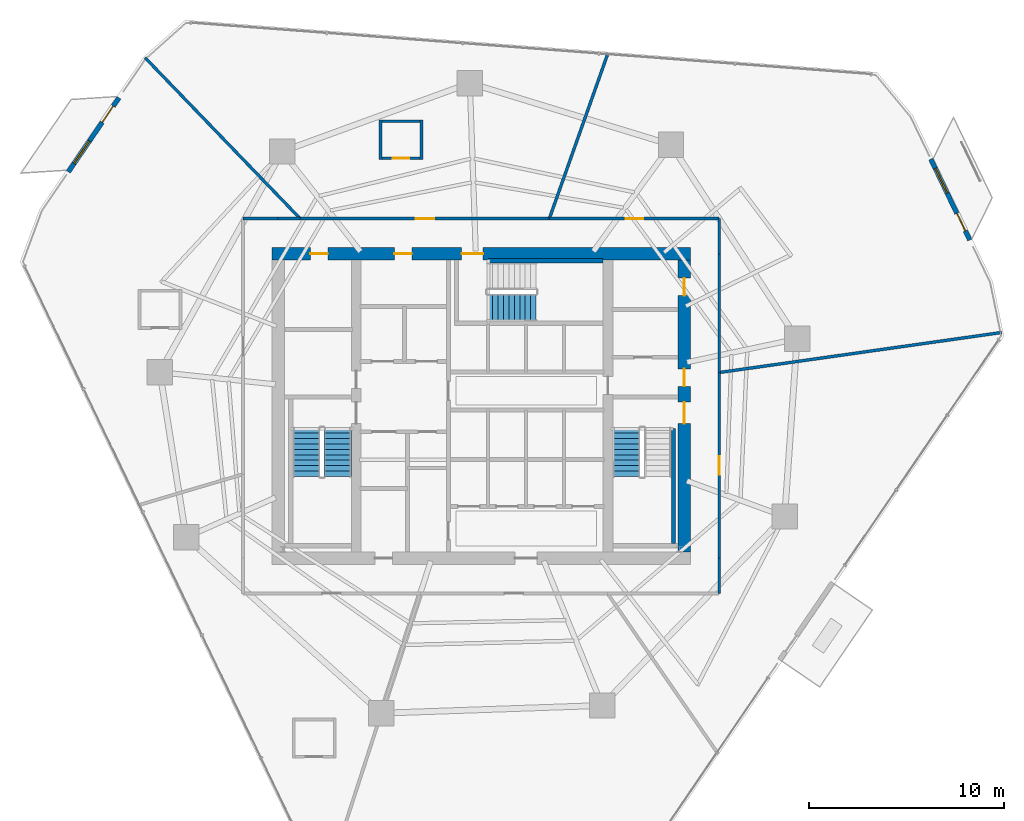
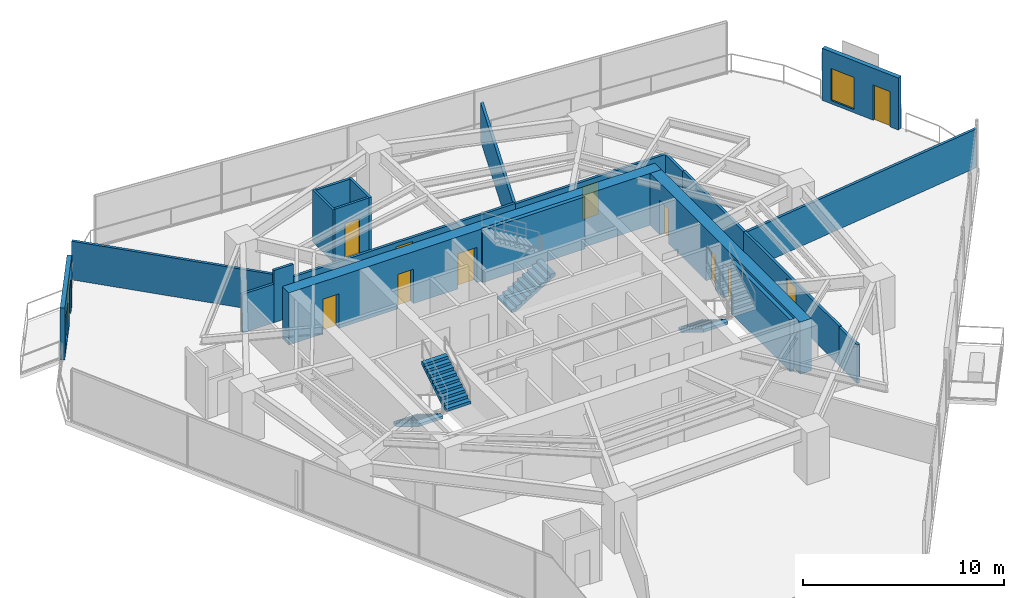
# One storey, part 27 of 30: 21 walls, 12 doors, 4 stair flights, 2 windows, 14 openings, 3 elements without a shape of their own.
"""IFC4 building model written with IfcOpenShell, lengths in metres."""

from ifc_helpers import new_model, si_unit, direction, frame, frame_2d, origin, place, context, subcontext, project, spatial, polyline, rectangle, outline, extrude, material, layer, layer_set, type_object, element, fill, aggregate, save


model = new_model("IFC4")

# Units and contexts
model_context = context("Model", 3, precision=1e-05, world=origin(), true_north=direction((0.0, 1.0)))
body_context = subcontext(model_context, "Body", "Model", "MODEL_VIEW")
ifc_project = project(units=[si_unit("LENGTHUNIT", "METRE"), si_unit("AREAUNIT", "SQUARE_METRE"), si_unit("VOLUMEUNIT", "CUBIC_METRE"), si_unit("PLANEANGLEUNIT", "RADIAN"), si_unit("MASSUNIT", "GRAM", prefix="KILO")], contexts=[model_context])

# Site, building, storey
site_placement = place(None, origin())
site = spatial("IfcSite", under=ifc_project, at=site_placement, CompositionType="ELEMENT")
building_placement = place(site_placement, origin())
building = spatial("IfcBuilding", under=site, at=building_placement, Name="Qarnah Convention Tower", CompositionType="ELEMENT")
storey_placement = place(building_placement, frame((0.0, 0.0, 51.14990234375)))
storey = spatial("IfcBuildingStorey", under=building, at=storey_placement, Name="L12", CompositionType="ELEMENT", Elevation=51.14990234375)

# Wall, openings, doors
ifc_material_1 = material(Name="Concrete C60/75", Category="concrete")
ifc_layer_1 = layer(ifc_material_1, 0.64990234375)
ifc_layer_set_1 = layer_set([ifc_layer_1], Name="Concrete C60/75")
wall_type_1 = type_object("IfcWallType", Name="WL-CORE-650", PredefinedType="SHEAR", material=ifc_layer_set_1)
wall_1_placement = place(storey_placement, frame((26.47509765625, 34.199951171875, 0.0), z_axis=(0.0, 0.0, 1.0), x_axis=(1.0, 0.0, 0.0)))
wall_1 = element("IfcWall", 1, at=wall_1_placement, inside=storey, type_object=wall_type_1, Name="L12 core north shear wall", PredefinedType="SHEAR", context=body_context, shape_type="SweptSolid", body=[
    extrude(rectangle(XDim=21.449951171875, YDim=0.64990234375, at=frame_2d((10.72509765625, 0.0))), origin(), (0.0, 0.0, 1.0), 3.170166015625),
])
opening_1_placement = place(wall_1_placement, frame((9.72509765625, 0.0, 0.0)))
opening_1 = element("IfcOpeningElement", 2, at=opening_1_placement, cuts=wall_1, Name="Opening D-1203", PredefinedType="OPENING", context=body_context, shape_type="SweptSolid", body=[
    extrude(rectangle(XDim=1.10009765625, YDim=2.14990234375, at=frame_2d((0.550048828125, 1.074951171875))), frame((0.0, 0.3349609375, 0.0), z_axis=(0.0, -1.0, 0.0), x_axis=(1.0, 0.0, 0.0)), (0.0, 0.0, 1.0), 0.669921875),
])
opening_2_placement = place(wall_1_placement, frame((1.97509765625, 0.0, 0.0)))
opening_2 = element("IfcOpeningElement", 3, at=opening_2_placement, cuts=wall_1, Name="Opening D-1209", PredefinedType="OPENING", context=body_context, shape_type="SweptSolid", body=[
    extrude(rectangle(XDim=0.89990234375, YDim=2.10009765625, at=frame_2d((0.449951171875, 1.050048828125))), frame((0.0, 0.3349609375, 0.0), z_axis=(0.0, -1.0, 0.0), x_axis=(1.0, 0.0, 0.0)), (0.0, 0.0, 1.0), 0.669921875),
])
opening_3_placement = place(wall_1_placement, frame((6.27490234375, 0.0, 0.0)))
opening_3 = element("IfcOpeningElement", 4, at=opening_3_placement, cuts=wall_1, Name="Opening D-1210", PredefinedType="OPENING", context=body_context, shape_type="SweptSolid", body=[
    extrude(rectangle(XDim=0.89990234375, YDim=2.10009765625, at=frame_2d((0.449951171875, 1.050048828125))), frame((0.0, 0.3349609375, 0.0), z_axis=(0.0, -1.0, 0.0), x_axis=(1.0, 0.0, 0.0)), (0.0, 0.0, 1.0), 0.669921875),
])
ifc_material_2 = material(Name="Structural steel S355JR", Category="steel")
door_type_1 = type_object("IfcDoorType", Name="DT-RISER-900", OperationType="NOTDEFINED", PredefinedType="DOOR", material=ifc_material_2)
door_1_placement = place(opening_2_placement, origin())
door_1 = element("IfcDoor", 5, at=door_1_placement, inside=storey, type_object=door_type_1, Name="Door D-1209", OperationType="SINGLE_SWING_LEFT", OverallHeight=2.10009765625, OverallWidth=0.89990234375, PredefinedType="DOOR", context=body_context, shape_type="SweptSolid", body=[
    extrude(rectangle(XDim=0.89990234375, YDim=2.10009765625, at=frame_2d((0.449951171875, 1.050048828125))), frame((0.0, 0.02490234375, 0.0), z_axis=(0.0, -1.0, 0.0), x_axis=(1.0, 0.0, 0.0)), (0.0, 0.0, 1.0), 0.050048828125),
])
fill(opening_2, door_1)
door_2_placement = place(opening_3_placement, origin())
door_2 = element("IfcDoor", 6, at=door_2_placement, inside=storey, type_object=door_type_1, Name="Door D-1210", OperationType="SINGLE_SWING_RIGHT", OverallHeight=2.10009765625, OverallWidth=0.89990234375, PredefinedType="DOOR", context=body_context, shape_type="SweptSolid", body=[
    extrude(rectangle(XDim=0.89990234375, YDim=2.10009765625, at=frame_2d((0.449951171875, 1.050048828125))), frame((0.0, 0.02490234375, 0.0), z_axis=(0.0, -1.0, 0.0), x_axis=(1.0, 0.0, 0.0)), (0.0, 0.0, 1.0), 0.050048828125),
])
fill(opening_3, door_2)
door_type_2 = type_object("IfcDoorType", Name="DT-STAIR-1100", OperationType="NOTDEFINED", PredefinedType="DOOR", material=ifc_material_2)
door_3_placement = place(opening_1_placement, origin())
door_3 = element("IfcDoor", 7, at=door_3_placement, inside=storey, type_object=door_type_2, Name="Door D-1203", OperationType="SINGLE_SWING_LEFT", OverallHeight=2.14990234375, OverallWidth=1.10009765625, PredefinedType="DOOR", context=body_context, shape_type="SweptSolid", body=[
    extrude(rectangle(XDim=1.10009765625, YDim=2.14990234375, at=frame_2d((0.550048828125, 1.074951171875))), frame((0.0, 0.02490234375, 0.0), z_axis=(0.0, -1.0, 0.0), x_axis=(1.0, 0.0, 0.0)), (0.0, 0.0, 1.0), 0.050048828125),
])
fill(opening_1, door_3)

wall_2_placement = place(storey_placement, frame((47.60009765625, 18.925048828125, 0.0), z_axis=(0.0, 0.0, 1.0), x_axis=(0.0, 1.0, 0.0)))
wall_2 = element("IfcWall", 8, at=wall_2_placement, inside=storey, type_object=wall_type_1, Name="L12 core east shear wall", PredefinedType="SHEAR", context=body_context, shape_type="SweptSolid", body=[
    extrude(rectangle(XDim=14.949951171875, YDim=0.64990234375, at=frame_2d((7.47509765625, 0.0))), origin(), (0.0, 0.0, 1.0), 3.170166015625),
])
opening_4_placement = place(wall_2_placement, frame((6.574951171875, 0.0, 0.0)))
opening_4 = element("IfcOpeningElement", 9, at=opening_4_placement, cuts=wall_2, Name="Opening D-1202", PredefinedType="OPENING", context=body_context, shape_type="SweptSolid", body=[
    extrude(rectangle(XDim=1.10009765625, YDim=2.14990234375, at=frame_2d((0.550048828125, 1.074951171875))), frame((0.0, 0.3349609375, 0.0), z_axis=(0.0, -1.0, 0.0), x_axis=(1.0, 0.0, 0.0)), (0.0, 0.0, 1.0), 0.669921875),
])
opening_5_placement = place(wall_2_placement, frame((8.47509765625, 0.0, 0.0)))
opening_5 = element("IfcOpeningElement", 10, at=opening_5_placement, cuts=wall_2, Name="Opening D-1206", PredefinedType="OPENING", context=body_context, shape_type="SweptSolid", body=[
    extrude(rectangle(XDim=0.89990234375, YDim=2.10009765625, at=frame_2d((0.449951171875, 1.050048828125))), frame((0.0, 0.3349609375, 0.0), z_axis=(0.0, -1.0, 0.0), x_axis=(1.0, 0.0, 0.0)), (0.0, 0.0, 1.0), 0.669921875),
])
opening_6_placement = place(wall_2_placement, frame((13.125, 0.0, 0.0)))
opening_6 = element("IfcOpeningElement", 11, at=opening_6_placement, cuts=wall_2, Name="Opening D-1212", PredefinedType="OPENING", context=body_context, shape_type="SweptSolid", body=[
    extrude(rectangle(XDim=0.89990234375, YDim=2.10009765625, at=frame_2d((0.449951171875, 1.050048828125))), frame((0.0, 0.3349609375, 0.0), z_axis=(0.0, -1.0, 0.0), x_axis=(1.0, 0.0, 0.0)), (0.0, 0.0, 1.0), 0.669921875),
])
door_4_placement = place(opening_5_placement, origin())
door_4 = element("IfcDoor", 12, at=door_4_placement, inside=storey, type_object=door_type_1, Name="Door D-1206", OperationType="SINGLE_SWING_RIGHT", OverallHeight=2.10009765625, OverallWidth=0.89990234375, PredefinedType="DOOR", context=body_context, shape_type="SweptSolid", body=[
    extrude(rectangle(XDim=0.89990234375, YDim=2.10009765625, at=frame_2d((0.449951171875, 1.050048828125))), frame((0.0, 0.02490234375, 0.0), z_axis=(0.0, -1.0, 0.0), x_axis=(1.0, 0.0, 0.0)), (0.0, 0.0, 1.0), 0.050048828125),
])
fill(opening_5, door_4)
door_5_placement = place(opening_6_placement, origin())
door_5 = element("IfcDoor", 13, at=door_5_placement, inside=storey, type_object=door_type_1, Name="Door D-1212", OperationType="SINGLE_SWING_RIGHT", OverallHeight=2.10009765625, OverallWidth=0.89990234375, PredefinedType="DOOR", context=body_context, shape_type="SweptSolid", body=[
    extrude(rectangle(XDim=0.89990234375, YDim=2.10009765625, at=frame_2d((0.449951171875, 1.050048828125))), frame((0.0, 0.02490234375, 0.0), z_axis=(0.0, -1.0, 0.0), x_axis=(1.0, 0.0, 0.0)), (0.0, 0.0, 1.0), 0.050048828125),
])
fill(opening_6, door_5)
door_6_placement = place(opening_4_placement, origin())
door_6 = element("IfcDoor", 14, at=door_6_placement, inside=storey, type_object=door_type_2, Name="Door D-1202", OperationType="SINGLE_SWING_RIGHT", OverallHeight=2.14990234375, OverallWidth=1.10009765625, PredefinedType="DOOR", context=body_context, shape_type="SweptSolid", body=[
    extrude(rectangle(XDim=1.10009765625, YDim=2.14990234375, at=frame_2d((0.550048828125, 1.074951171875))), frame((0.0, 0.02490234375, 0.0), z_axis=(0.0, -1.0, 0.0), x_axis=(1.0, 0.0, 0.0)), (0.0, 0.0, 1.0), 0.050048828125),
])
fill(opening_4, door_6)

# Walls
ifc_layer_2 = layer(ifc_material_1, 0.219970703125)
ifc_layer_set_2 = layer_set([ifc_layer_2], Name="Concrete C60/75")
wall_type_2 = type_object("IfcWallType", Name="WL-CORE-STAIR-220", PredefinedType="SHEAR", material=ifc_layer_set_2)
for number, where, z_axis, x_axis, name in (
    (15, (47.06005859375, 19.35009765625, 0.0), (0.0, 0.0, 1.0), (0.0, 1.0, 0.0), "L12 stair shaft shear wall SW-L12-ST2E"),
    (16, (37.550048828125, 33.840087890625, 0.0), (0.0, 0.0, 1.0), (1.0, 0.0, 0.0), "L12 stair shaft shear wall SW-L12-ST3N"),
):
    element("IfcWall", number, at=place(storey_placement, frame(where, z_axis=z_axis, x_axis=x_axis)), inside=storey, type_object=wall_type_2, Name=name, PredefinedType="SHEAR", context=body_context, shape_type="SweptSolid", body=[
        extrude(rectangle(XDim=5.89990234375, YDim=0.219970703125, at=frame_2d((2.949951171875, 0.0))), origin(), (0.0, 0.0, 1.0), 3.170166015625),
    ])

# Wall, openings, door, window
ifc_material_3 = material(Name="Precast concrete C45/55", Category="concrete")
ifc_layer_3 = layer(ifc_material_3, 0.239990234375)
ifc_layer_set_3 = layer_set([ifc_layer_3], Name="Precast concrete C45/55")
wall_type_3 = type_object("IfcWallType", Name="WL-EXT-BAL-240", PredefinedType="SOLIDWALL", material=ifc_layer_set_3)
wall_3_placement = place(storey_placement, frame((60.241943359375, 39.050048828125, 0.0), z_axis=(0.0, 0.0, 1.0), x_axis=(0.433276196911, -0.901261192546, 0.0)))
wall_3 = element("IfcWall", 17, at=wall_3_placement, inside=storey, type_object=wall_type_3, Name="L12 loggia threshold wall BAL-L12-C1", PredefinedType="SOLIDWALL", context=body_context, shape_type="SweptSolid", body=[
    extrude(rectangle(XDim=4.60009765625, YDim=0.239990234375, at=frame_2d((2.300048828125, 0.0))), origin(), (0.0, 0.0, 1.0), 3.170166015625),
])
opening_7_placement = place(wall_3_placement, frame((3.080078125, 0.0, 0.0)))
opening_7 = element("IfcOpeningElement", 18, at=opening_7_placement, cuts=wall_3, Name="Opening BD-1201", PredefinedType="OPENING", context=body_context, shape_type="SweptSolid", body=[
    extrude(rectangle(XDim=1.0, YDim=2.14990234375, at=frame_2d((0.5, 1.074951171875))), frame((0.0, 0.1298828125, 0.0), z_axis=(0.0, -1.0, 0.0), x_axis=(1.0, 0.0, 0.0)), (0.0, 0.0, 1.0), 0.260009765625),
])
opening_8_placement = place(wall_3_placement, frame((0.52001953125, 0.0, 0.199951171875)))
opening_8 = element("IfcOpeningElement", 19, at=opening_8_placement, cuts=wall_3, Name="Opening WN4", PredefinedType="OPENING", context=body_context, shape_type="SweptSolid", body=[
    extrude(rectangle(XDim=1.39990234375, YDim=1.949951171875, at=frame_2d((0.699951171875, 0.97509765625))), frame((0.0, 0.1298828125, 0.0), z_axis=(0.0, -1.0, 0.0), x_axis=(1.0, 0.0, 0.0)), (0.0, 0.0, 1.0), 0.260009765625),
])
ifc_material_4 = material(Name="Black anodised aluminium", Category="aluminium")
door_type_3 = type_object("IfcDoorType", Name="DT-BAL-1000", OperationType="NOTDEFINED", PredefinedType="DOOR", material=ifc_material_4)
door_7_placement = place(opening_7_placement, origin())
door_7 = element("IfcDoor", 20, at=door_7_placement, inside=storey, type_object=door_type_3, Name="L12 balcony terrace door BAL-L12-C1", OperationType="SINGLE_SWING_RIGHT", OverallHeight=2.14990234375, OverallWidth=1.0, PredefinedType="DOOR", context=body_context, shape_type="SweptSolid", body=[
    extrude(rectangle(XDim=1.0, YDim=2.14990234375, at=frame_2d((0.5, 1.074951171875))), frame((0.0, 0.02490234375, 0.0), z_axis=(0.0, -1.0, 0.0), x_axis=(1.0, 0.0, 0.0)), (0.0, 0.0, 1.0), 0.050048828125),
])
fill(opening_7, door_7)
ifc_material_5 = material(Name="Tempered Low-E dark glass", Category="glass")
window_type = type_object("IfcWindowType", Name="WT-BAL-1400X2000", PartitioningType="SINGLE_PANEL", PredefinedType="WINDOW", material=ifc_material_5)
window_1_placement = place(opening_8_placement, origin())
window_1 = element("IfcWindow", 21, at=window_1_placement, inside=storey, type_object=window_type, Name="Window BW-BAL-L12-C1", OverallHeight=1.949951171875, OverallWidth=1.39990234375, PartitioningType="SINGLE_PANEL", PredefinedType="WINDOW", context=body_context, shape_type="SweptSolid", body=[
    extrude(rectangle(XDim=1.39990234375, YDim=1.949951171875, at=frame_2d((0.699951171875, 0.97509765625))), frame((0.0, 0.030029296875, 0.0), z_axis=(0.0, -1.0, 0.0), x_axis=(1.0, 0.0, 0.0)), (0.0, 0.0, 1.0), 0.06005859375),
])
fill(opening_8, window_1)

wall_4_placement = place(storey_placement, frame((16.049072265625, 38.39306640625, 0.0), z_axis=(0.0, 0.0, 1.0), x_axis=(0.563913092541, 0.825834138348, 0.0)))
wall_4 = element("IfcWall", 22, at=wall_4_placement, inside=storey, type_object=wall_type_3, Name="L12 loggia threshold wall BAL-L12-C2", PredefinedType="SOLIDWALL", context=body_context, shape_type="SweptSolid", body=[
    extrude(rectangle(XDim=4.60009765625, YDim=0.239990234375, at=frame_2d((2.300048828125, 0.0))), origin(), (0.0, 0.0, 1.0), 3.170166015625),
])
opening_9_placement = place(wall_4_placement, frame((3.080078125, 0.0, 0.0)))
opening_9 = element("IfcOpeningElement", 23, at=opening_9_placement, cuts=wall_4, Name="Opening BD-1202", PredefinedType="OPENING", context=body_context, shape_type="SweptSolid", body=[
    extrude(rectangle(XDim=1.0, YDim=2.14990234375, at=frame_2d((0.5, 1.074951171875))), frame((0.0, 0.1298828125, 0.0), z_axis=(0.0, -1.0, 0.0), x_axis=(1.0, 0.0, 0.0)), (0.0, 0.0, 1.0), 0.260009765625),
])
opening_10_placement = place(wall_4_placement, frame((0.52001953125, 0.0, 0.199951171875)))
opening_10 = element("IfcOpeningElement", 24, at=opening_10_placement, cuts=wall_4, Name="Opening WN4", PredefinedType="OPENING", context=body_context, shape_type="SweptSolid", body=[
    extrude(rectangle(XDim=1.39990234375, YDim=1.949951171875, at=frame_2d((0.699951171875, 0.97509765625))), frame((0.0, 0.1298828125, 0.0), z_axis=(0.0, -1.0, 0.0), x_axis=(1.0, 0.0, 0.0)), (0.0, 0.0, 1.0), 0.260009765625),
])
door_8_placement = place(opening_9_placement, origin())
door_8 = element("IfcDoor", 25, at=door_8_placement, inside=storey, type_object=door_type_3, Name="L12 balcony terrace door BAL-L12-C2", OperationType="SINGLE_SWING_LEFT", OverallHeight=2.14990234375, OverallWidth=1.0, PredefinedType="DOOR", context=body_context, shape_type="SweptSolid", body=[
    extrude(rectangle(XDim=1.0, YDim=2.14990234375, at=frame_2d((0.5, 1.074951171875))), frame((0.0, 0.02490234375, 0.0), z_axis=(0.0, -1.0, 0.0), x_axis=(1.0, 0.0, 0.0)), (0.0, 0.0, 1.0), 0.050048828125),
])
fill(opening_9, door_8)
window_2_placement = place(opening_10_placement, origin())
window_2 = element("IfcWindow", 26, at=window_2_placement, inside=storey, type_object=window_type, Name="Window BW-BAL-L12-C2", OverallHeight=1.949951171875, OverallWidth=1.39990234375, PartitioningType="SINGLE_PANEL", PredefinedType="WINDOW", context=body_context, shape_type="SweptSolid", body=[
    extrude(rectangle(XDim=1.39990234375, YDim=1.949951171875, at=frame_2d((0.699951171875, 0.97509765625))), frame((0.0, 0.030029296875, 0.0), z_axis=(0.0, -1.0, 0.0), x_axis=(1.0, 0.0, 0.0)), (0.0, 0.0, 1.0), 0.06005859375),
])
fill(opening_10, window_2)

# Wall
ifc_material_6 = material(Name="Gypsum partition board")
ifc_layer_4 = layer(ifc_material_6, 0.14990234375)
ifc_layer_set_4 = layer_set([ifc_layer_4], Name="Gypsum partition board")
wall_type_4 = type_object("IfcWallType", Name="WL-SUITE-150", PredefinedType="PARTITIONING", material=ifc_layer_set_4)
wall_5_placement = place(storey_placement, frame((43.695068359375, 44.465087890625, 0.0), z_axis=(0.0, 0.0, 1.0), x_axis=(-0.334136466125, -0.94252470631, 0.0)))
element("IfcWall", 27, at=wall_5_placement, inside=storey, type_object=wall_type_4, Name="L12 interior wall IW-L12-R-13", PredefinedType="PARTITIONING", context=body_context, shape_type="SweptSolid", body=[
    extrude(rectangle(XDim=8.981201171875, YDim=0.14990234375, at=frame_2d((4.49072265625, 0.0))), origin(), (0.0, 0.0, 1.0), 2.35498046875),
])

# Wall, opening, door
wall_6_placement = place(storey_placement, frame((40.694091796875, 36.0, 0.0), z_axis=(0.0, 0.0, 1.0), x_axis=(1.0, 0.0, 0.0)))
wall_6 = element("IfcWall", 28, at=wall_6_placement, inside=storey, type_object=wall_type_4, Name="L12 interior wall IW-L12-R-14", PredefinedType="PARTITIONING", context=body_context, shape_type="SweptSolid", body=[
    extrude(rectangle(XDim=8.705810546875, YDim=0.14990234375, at=frame_2d((4.35302734375, 0.0))), origin(), (0.0, 0.0, 1.0), 2.35498046875),
])
opening_11_placement = place(wall_6_placement, frame((3.903076171875, 0.0, 0.0)))
opening_11 = element("IfcOpeningElement", 29, at=opening_11_placement, cuts=wall_6, Name="Opening D-1216", PredefinedType="OPENING", context=body_context, shape_type="SweptSolid", body=[
    extrude(rectangle(XDim=0.89990234375, YDim=2.0, at=frame_2d((0.449951171875, 1.0))), frame((0.0, 0.0849609375, 0.0), z_axis=(0.0, -1.0, 0.0), x_axis=(1.0, 0.0, 0.0)), (0.0, 0.0, 1.0), 0.169921875),
])
door_type_4 = type_object("IfcDoorType", Name="DT-PLANT-900", OperationType="NOTDEFINED", PredefinedType="DOOR", material=ifc_material_2)
door_9_placement = place(opening_11_placement, origin())
door_9 = element("IfcDoor", 30, at=door_9_placement, inside=storey, type_object=door_type_4, Name="Door D-1216", OperationType="SINGLE_SWING_RIGHT", OverallHeight=2.0, OverallWidth=0.89990234375, PredefinedType="DOOR", context=body_context, shape_type="SweptSolid", body=[
    extrude(rectangle(XDim=0.89990234375, YDim=2.0, at=frame_2d((0.449951171875, 1.0))), frame((0.0, 0.02490234375, 0.0), z_axis=(0.0, -1.0, 0.0), x_axis=(1.0, 0.0, 0.0)), (0.0, 0.0, 1.0), 0.050048828125),
])
fill(opening_11, door_9)

# Walls
wall_7_placement = place(storey_placement, frame((49.39990234375, 36.0, 0.0), z_axis=(0.0, 0.0, 1.0), x_axis=(0.0, -1.0, 0.0)))
element("IfcWall", 31, at=wall_7_placement, inside=storey, type_object=wall_type_4, Name="L12 interior wall IW-L12-R-15", PredefinedType="PARTITIONING", context=body_context, shape_type="SweptSolid", body=[
    extrude(rectangle(XDim=1.800048828125, YDim=0.14990234375, at=frame_2d((0.89990234375, 0.0))), origin(), (0.0, 0.0, 1.0), 2.35498046875),
])
wall_8_placement = place(storey_placement, frame((49.39990234375, 34.199951171875, 0.0), z_axis=(0.0, 0.0, 1.0), x_axis=(0.0, -1.0, 0.0)))
element("IfcWall", 32, at=wall_8_placement, inside=storey, type_object=wall_type_4, Name="L12 interior wall IW-L12-R-16", PredefinedType="PARTITIONING", context=body_context, shape_type="SweptSolid", body=[
    extrude(rectangle(XDim=6.0849609375, YDim=0.14990234375, at=frame_2d((3.04248046875, 0.0))), origin(), (0.0, 0.0, 1.0), 2.39501953125),
])
wall_9_placement = place(storey_placement, frame((49.39990234375, 28.114990234375, 0.0), z_axis=(0.0, 0.0, 1.0), x_axis=(0.990103589489, 0.140338455463, 0.0)))
element("IfcWall", 33, at=wall_9_placement, inside=storey, type_object=wall_type_4, Name="L12 interior wall IW-L12-R-17", PredefinedType="PARTITIONING", context=body_context, shape_type="SweptSolid", body=[
    extrude(rectangle(XDim=14.61474609375, YDim=0.14990234375, at=frame_2d((7.307373046875, 0.0))), origin(), (0.0, 0.0, 1.0), 2.35498046875),
])
wall_10_placement = place(storey_placement, frame((19.98291015625, 44.243896484375, 0.0), z_axis=(0.0, 0.0, 1.0), x_axis=(0.693980477279, -0.719993817442, 0.0)))
element("IfcWall", 34, at=wall_10_placement, inside=storey, type_object=wall_type_4, Name="L12 interior wall IW-L12-R-18", PredefinedType="PARTITIONING", context=body_context, shape_type="SweptSolid", body=[
    extrude(rectangle(XDim=11.449951171875, YDim=0.14990234375, at=frame_2d((5.72509765625, 0.0))), origin(), (0.0, 0.0, 1.0), 2.35498046875),
])

# Wall, opening, door
wall_11_placement = place(storey_placement, frame((27.928955078125, 36.0, 0.0), z_axis=(0.0, 0.0, 1.0), x_axis=(1.0, 0.0, 0.0)))
wall_11 = element("IfcWall", 35, at=wall_11_placement, inside=storey, type_object=wall_type_4, Name="L12 interior wall IW-L12-R-19", PredefinedType="PARTITIONING", context=body_context, shape_type="SweptSolid", body=[
    extrude(rectangle(XDim=12.76513671875, YDim=0.14990234375, at=frame_2d((6.382568359375, 0.0))), origin(), (0.0, 0.0, 1.0), 2.39501953125),
])
opening_12_placement = place(wall_11_placement, frame((5.907958984375, 0.0, 0.0)))
opening_12 = element("IfcOpeningElement", 36, at=opening_12_placement, cuts=wall_11, Name="Opening D-1217", PredefinedType="OPENING", context=body_context, shape_type="SweptSolid", body=[
    extrude(rectangle(XDim=0.949951171875, YDim=2.14990234375, at=frame_2d((0.47509765625, 1.074951171875))), frame((0.0, 0.0849609375, 0.0), z_axis=(0.0, -1.0, 0.0), x_axis=(1.0, 0.0, 0.0)), (0.0, 0.0, 1.0), 0.169921875),
])
ifc_material_7 = material(Name="Oak timber veneer", Category="wood")
door_type_5 = type_object("IfcDoorType", Name="DT-HOTEL-950", OperationType="NOTDEFINED", PredefinedType="DOOR", material=ifc_material_7)
door_10_placement = place(opening_12_placement, origin())
door_10 = element("IfcDoor", 37, at=door_10_placement, inside=storey, type_object=door_type_5, Name="Door D-1217", OperationType="SINGLE_SWING_LEFT", OverallHeight=2.14990234375, OverallWidth=0.949951171875, PredefinedType="DOOR", context=body_context, shape_type="SweptSolid", body=[
    extrude(rectangle(XDim=0.949951171875, YDim=2.14990234375, at=frame_2d((0.47509765625, 1.074951171875))), frame((0.0, 0.02490234375, 0.0), z_axis=(0.0, -1.0, 0.0), x_axis=(1.0, 0.0, 0.0)), (0.0, 0.0, 1.0), 0.050048828125),
])
fill(opening_12, door_10)

# Walls
wall_12_placement = place(storey_placement, frame((25.0, 36.0, 0.0), z_axis=(0.0, 0.0, 1.0), x_axis=(1.0, 0.0, 0.0)))
element("IfcWall", 38, at=wall_12_placement, inside=storey, type_object=wall_type_4, Name="L12 interior wall IW-L12-R-22", PredefinedType="PARTITIONING", context=body_context, shape_type="SweptSolid", body=[
    extrude(rectangle(XDim=1.800048828125, YDim=0.14990234375, at=frame_2d((0.89990234375, 0.0))), origin(), (0.0, 0.0, 1.0), 2.35498046875),
])
wall_13_placement = place(storey_placement, frame((26.800048828125, 36.0, 0.0), z_axis=(0.0, 0.0, 1.0), x_axis=(1.0, 0.0, 0.0)))
element("IfcWall", 39, at=wall_13_placement, inside=storey, type_object=wall_type_4, Name="L12 interior wall IW-L12-R-23", PredefinedType="PARTITIONING", context=body_context, shape_type="SweptSolid", body=[
    extrude(rectangle(XDim=1.12890625, YDim=0.14990234375, at=frame_2d((0.564453125, 0.0))), origin(), (0.0, 0.0, 1.0), 3.170166015625),
])

# Wall, opening, door
wall_14_placement = place(storey_placement, frame((49.39990234375, 28.114990234375, 0.0), z_axis=(0.0, 0.0, 1.0), x_axis=(0.0, -1.0, 0.0)))
wall_14 = element("IfcWall", 40, at=wall_14_placement, inside=storey, type_object=wall_type_4, Name="L12 interior wall IW-L12-R-30", PredefinedType="PARTITIONING", context=body_context, shape_type="SweptSolid", body=[
    extrude(rectangle(XDim=9.514892578125, YDim=0.14990234375, at=frame_2d((4.75732421875, 0.0))), origin(), (0.0, 0.0, 1.0), 2.39501953125),
])
opening_13_placement = place(wall_14_placement, frame((4.281982421875, 0.0, 0.0)))
opening_13 = element("IfcOpeningElement", 41, at=opening_13_placement, cuts=wall_14, Name="Opening D-1224", PredefinedType="OPENING", context=body_context, shape_type="SweptSolid", body=[
    extrude(rectangle(XDim=0.949951171875, YDim=2.14990234375, at=frame_2d((0.47509765625, 1.074951171875))), frame((0.0, 0.0849609375, 0.0), z_axis=(0.0, -1.0, 0.0), x_axis=(1.0, 0.0, 0.0)), (0.0, 0.0, 1.0), 0.169921875),
])
door_11_placement = place(opening_13_placement, origin())
door_11 = element("IfcDoor", 42, at=door_11_placement, inside=storey, type_object=door_type_5, Name="Door D-1224", OperationType="SINGLE_SWING_RIGHT", OverallHeight=2.14990234375, OverallWidth=0.949951171875, PredefinedType="DOOR", context=body_context, shape_type="SweptSolid", body=[
    extrude(rectangle(XDim=0.949951171875, YDim=2.14990234375, at=frame_2d((0.47509765625, 1.074951171875))), frame((0.0, 0.02490234375, 0.0), z_axis=(0.0, -1.0, 0.0), x_axis=(1.0, 0.0, 0.0)), (0.0, 0.0, 1.0), 0.050048828125),
])
fill(opening_13, door_11)

# Wall
wall_15_placement = place(storey_placement, frame((49.39990234375, 18.60009765625, 0.0), z_axis=(0.0, 0.0, 1.0), x_axis=(0.0, -1.0, 0.0)))
element("IfcWall", 43, at=wall_15_placement, inside=storey, type_object=wall_type_4, Name="L12 interior wall IW-L12-R-31", PredefinedType="PARTITIONING", context=body_context, shape_type="SweptSolid", body=[
    extrude(rectangle(XDim=1.800048828125, YDim=0.14990234375, at=frame_2d((0.89990234375, 0.0))), origin(), (0.0, 0.0, 1.0), 2.35498046875),
])

# Wall, opening, door
ifc_layer_5 = layer(ifc_material_6, 0.139892578125)
ifc_layer_set_5 = layer_set([ifc_layer_5], Name="Gypsum partition board")
wall_type_5 = type_object("IfcWallType", Name="WL-WET-140", PredefinedType="PARTITIONING", material=ifc_layer_set_5)
wall_16_placement = place(storey_placement, frame((31.97412109375, 39.095947265625, 0.0), z_axis=(0.0, 0.0, 1.0), x_axis=(1.0, 0.0, 0.0)))
wall_16 = element("IfcWall", 44, at=wall_16_placement, inside=storey, type_object=wall_type_5, Name="L12 interior wall IW-L12-ENS01-1", PredefinedType="PARTITIONING", context=body_context, shape_type="SweptSolid", body=[
    extrude(rectangle(XDim=2.239990234375, YDim=0.139892578125, at=frame_2d((1.1201171875, 0.0))), origin(), (0.0, 0.0, 1.0), 3.170166015625),
])
opening_14_placement = place(wall_16_placement, frame((0.695068359375, 0.0, 0.0)))
opening_14 = element("IfcOpeningElement", 45, at=opening_14_placement, cuts=wall_16, Name="Opening D-1218", PredefinedType="OPENING", context=body_context, shape_type="SweptSolid", body=[
    extrude(rectangle(XDim=0.85009765625, YDim=2.10009765625, at=frame_2d((0.425048828125, 1.050048828125))), frame((0.0, 0.079833984375, 0.0), z_axis=(0.0, -1.0, 0.0), x_axis=(1.0, 0.0, 0.0)), (0.0, 0.0, 1.0), 0.159912109375),
])
door_type_6 = type_object("IfcDoorType", Name="DT-BATH-850", OperationType="NOTDEFINED", PredefinedType="DOOR", material=ifc_material_7)
door_12_placement = place(opening_14_placement, origin())
door_12 = element("IfcDoor", 46, at=door_12_placement, inside=storey, type_object=door_type_6, Name="Door D-1218", OperationType="SINGLE_SWING_RIGHT", OverallHeight=2.10009765625, OverallWidth=0.85009765625, PredefinedType="DOOR", context=body_context, shape_type="SweptSolid", body=[
    extrude(rectangle(XDim=0.85009765625, YDim=2.10009765625, at=frame_2d((0.425048828125, 1.050048828125))), frame((0.0, 0.02490234375, 0.0), z_axis=(0.0, -1.0, 0.0), x_axis=(1.0, 0.0, 0.0)), (0.0, 0.0, 1.0), 0.050048828125),
])
fill(opening_14, door_12)

# Walls
wall_17_placement = place(storey_placement, frame((34.14404296875, 39.02587890625, 0.0), z_axis=(0.0, 0.0, 1.0), x_axis=(0.0, 1.0, 0.0)))
element("IfcWall", 47, at=wall_17_placement, inside=storey, type_object=wall_type_5, Name="L12 interior wall IW-L12-ENS01-2", PredefinedType="PARTITIONING", context=body_context, shape_type="SweptSolid", body=[
    extrude(rectangle(XDim=2.0400390625, YDim=0.139892578125, at=frame_2d((1.02001953125, 0.0))), origin(), (0.0, 0.0, 1.0), 3.170166015625),
])
wall_18_placement = place(storey_placement, frame((34.214111328125, 40.99609375, 0.0), z_axis=(0.0, 0.0, 1.0), x_axis=(-1.0, 0.0, 0.0)))
element("IfcWall", 48, at=wall_18_placement, inside=storey, type_object=wall_type_5, Name="L12 interior wall IW-L12-ENS01-3", PredefinedType="PARTITIONING", context=body_context, shape_type="SweptSolid", body=[
    extrude(rectangle(XDim=2.239990234375, YDim=0.139892578125, at=frame_2d((1.1201171875, 0.0))), origin(), (0.0, 0.0, 1.0), 3.170166015625),
])
wall_19_placement = place(storey_placement, frame((32.0439453125, 41.06591796875, 0.0), z_axis=(0.0, 0.0, 1.0), x_axis=(0.0, -1.0, 0.0)))
element("IfcWall", 49, at=wall_19_placement, inside=storey, type_object=wall_type_5, Name="L12 interior wall IW-L12-ENS01-4", PredefinedType="PARTITIONING", context=body_context, shape_type="SweptSolid", body=[
    extrude(rectangle(XDim=2.0400390625, YDim=0.139892578125, at=frame_2d((1.02001953125, 0.0))), origin(), (0.0, 0.0, 1.0), 3.170166015625),
])

# Stair, stair flights
ifc_material_8 = material(Name="Concrete C50/60", Category="concrete")
stair_type = type_object("IfcStairType", Name="STR-HTL", PredefinedType="HALF_TURN_STAIR", material=ifc_material_8)
stair_1_placement = place(storey_placement, origin())
stair_1 = element("IfcStair", 50, at=stair_1_placement, inside=storey, type_object=stair_type, Name="L12 Core exit stair ST-1", PredefinedType="HALF_TURN_STAIR")
stair_flight_type = type_object("IfcStairFlightType", Name="FLT-HTL", PredefinedType="STRAIGHT", material=ifc_material_8)
stair_flight_1_placement = place(storey_placement, frame((28.25, 25.300048828125, 0.0), z_axis=(0.0, 0.0, 1.0), x_axis=(0.0, -1.0, 0.0)))
stair_flight_1 = element("IfcStairFlight", 51, at=stair_flight_1_placement, type_object=stair_flight_type, Name="ST-1 flight 1", NumberOfRisers=10, NumberOfTreads=9, PredefinedType="STRAIGHT", RiserHeight=0.1725, TreadLength=0.28, context=body_context, shape_type="SweptSolid", body=[
    extrude(outline(polyline([(0.0, 0.0), (0.0, 0.172607421875), (0.280029296875, 0.172607421875), (0.280029296875, 0.344970703125), (0.56005859375, 0.344970703125), (0.56005859375, 0.517578125), (0.840087890625, 0.517578125), (0.840087890625, 0.68994140625), (1.1201171875, 0.68994140625), (1.1201171875, 0.862548828125), (1.39990234375, 0.862548828125), (1.39990234375, 1.034912109375), (1.679931640625, 1.034912109375), (1.679931640625, 1.20751953125), (1.9599609375, 1.20751953125), (1.9599609375, 1.3798828125), (2.239990234375, 1.3798828125), (2.239990234375, 1.552490234375), (2.52001953125, 1.552490234375), (2.52001953125, 1.72509765625), (2.52001953125, 1.37646484375), (0.285888671875, 0.0), (0.0, 0.0)])), frame((0.0, 0.699951171875, 0.0), z_axis=(0.0, -1.0, 0.0), x_axis=(1.0, 0.0, 0.0)), (0.0, 0.0, 1.0), 1.39990234375),
])
stair_flight_2_placement = place(storey_placement, frame((29.85009765625, 22.780029296875, 1.72509765625), z_axis=(0.0, 0.0, 1.0), x_axis=(0.0, 1.0, 0.0)))
stair_flight_2 = element("IfcStairFlight", 52, at=stair_flight_2_placement, type_object=stair_flight_type, Name="ST-1 flight 2", NumberOfRisers=10, NumberOfTreads=9, PredefinedType="STRAIGHT", RiserHeight=0.1725, TreadLength=0.28, context=body_context, shape_type="SweptSolid", body=[
    extrude(outline(polyline([(0.0, 0.0), (0.0, 0.172607421875), (0.280029296875, 0.172607421875), (0.280029296875, 0.344970703125), (0.56005859375, 0.344970703125), (0.56005859375, 0.517578125), (0.840087890625, 0.517578125), (0.840087890625, 0.68994140625), (1.1201171875, 0.68994140625), (1.1201171875, 0.862548828125), (1.39990234375, 0.862548828125), (1.39990234375, 1.034912109375), (1.679931640625, 1.034912109375), (1.679931640625, 1.20751953125), (1.9599609375, 1.20751953125), (1.9599609375, 1.3798828125), (2.239990234375, 1.3798828125), (2.239990234375, 1.552490234375), (2.52001953125, 1.552490234375), (2.52001953125, 1.72509765625), (2.52001953125, 1.37646484375), (0.285888671875, 0.0), (0.0, 0.0)])), frame((0.0, 0.699951171875, 0.0), z_axis=(0.0, -1.0, 0.0), x_axis=(1.0, 0.0, 0.0)), (0.0, 0.0, 1.0), 1.39990234375),
])
aggregate(stair_1, [stair_flight_1, stair_flight_2])

# Stair, stair flight
stair_2_placement = place(storey_placement, origin())
stair_2 = element("IfcStair", 53, at=stair_2_placement, inside=storey, type_object=stair_type, Name="L12 Core exit stair ST-2", PredefinedType="HALF_TURN_STAIR")
stair_flight_3_placement = place(storey_placement, frame((44.64990234375, 25.300048828125, 0.0), z_axis=(0.0, 0.0, 1.0), x_axis=(0.0, -1.0, 0.0)))
stair_flight_3 = element("IfcStairFlight", 54, at=stair_flight_3_placement, type_object=stair_flight_type, Name="ST-2 flight 1", NumberOfRisers=10, NumberOfTreads=9, PredefinedType="STRAIGHT", RiserHeight=0.1725, TreadLength=0.28, context=body_context, shape_type="SweptSolid", body=[
    extrude(outline(polyline([(0.0, 0.0), (0.0, 0.172607421875), (0.280029296875, 0.172607421875), (0.280029296875, 0.344970703125), (0.56005859375, 0.344970703125), (0.56005859375, 0.517578125), (0.840087890625, 0.517578125), (0.840087890625, 0.68994140625), (1.1201171875, 0.68994140625), (1.1201171875, 0.862548828125), (1.39990234375, 0.862548828125), (1.39990234375, 1.034912109375), (1.679931640625, 1.034912109375), (1.679931640625, 1.20751953125), (1.9599609375, 1.20751953125), (1.9599609375, 1.3798828125), (2.239990234375, 1.3798828125), (2.239990234375, 1.552490234375), (2.52001953125, 1.552490234375), (2.52001953125, 1.72509765625), (2.52001953125, 1.37646484375), (0.285888671875, 0.0), (0.0, 0.0)])), frame((0.0, 0.699951171875, 0.0), z_axis=(0.0, -1.0, 0.0), x_axis=(1.0, 0.0, 0.0)), (0.0, 0.0, 1.0), 1.39990234375),
])
aggregate(stair_2, [stair_flight_3])

stair_3_placement = place(storey_placement, origin())
stair_3 = element("IfcStair", 55, at=stair_3_placement, inside=storey, type_object=stair_type, Name="L12 Core exit stair ST-3", PredefinedType="HALF_TURN_STAIR")
stair_flight_4_placement = place(storey_placement, frame((37.5, 31.449951171875, 0.0), z_axis=(0.0, 0.0, 1.0), x_axis=(1.0, 0.0, 0.0)))
stair_flight_4 = element("IfcStairFlight", 56, at=stair_flight_4_placement, type_object=stair_flight_type, Name="ST-3 flight 1", NumberOfRisers=10, NumberOfTreads=9, PredefinedType="STRAIGHT", RiserHeight=0.1725, TreadLength=0.28, context=body_context, shape_type="SweptSolid", body=[
    extrude(outline(polyline([(0.0, 0.0), (0.0, 0.172607421875), (0.280029296875, 0.172607421875), (0.280029296875, 0.344970703125), (0.56005859375, 0.344970703125), (0.56005859375, 0.517578125), (0.840087890625, 0.517578125), (0.840087890625, 0.68994140625), (1.1201171875, 0.68994140625), (1.1201171875, 0.862548828125), (1.39990234375, 0.862548828125), (1.39990234375, 1.034912109375), (1.679931640625, 1.034912109375), (1.679931640625, 1.20751953125), (1.9599609375, 1.20751953125), (1.9599609375, 1.3798828125), (2.239990234375, 1.3798828125), (2.239990234375, 1.552490234375), (2.52001953125, 1.552490234375), (2.52001953125, 1.72509765625), (2.52001953125, 1.37646484375), (0.285888671875, 0.0), (0.0, 0.0)])), frame((0.0, 0.699951171875, 0.0), z_axis=(0.0, -1.0, 0.0), x_axis=(1.0, 0.0, 0.0)), (0.0, 0.0, 1.0), 1.39990234375),
])
aggregate(stair_3, [stair_flight_4])

save(model, "model.ifc")
